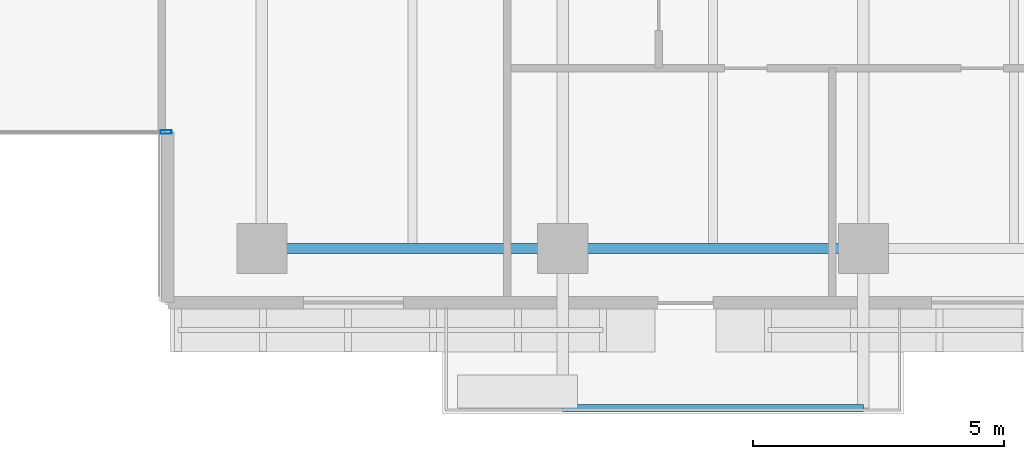
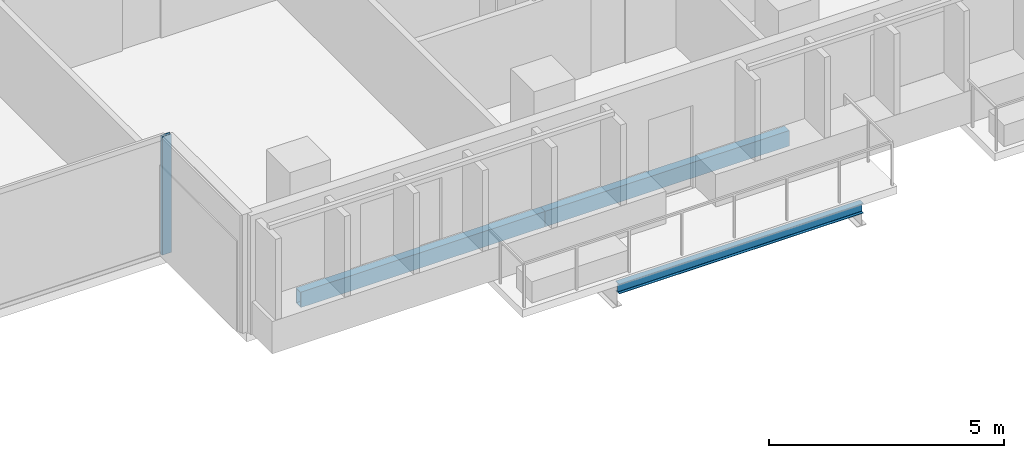
# One storey, part 6 of 35: 3 beams, 1 member, 1 element without a shape of its own.
"""IFC4 building model written with IfcOpenShell, lengths in metres."""

from ifc_helpers import new_model, si_unit, direction, frame, origin, origin_2d, place, context, subcontext, project, spatial, hollow_rectangle, i_section, extrude, material, layer, layer_set, material_profile, profile_set, type_object, element, aggregate, save


model = new_model("IFC4")

# Units and contexts
model_context = context("Model", 3, precision=1e-05, world=origin(), true_north=direction((0.0, 1.0)))
body_context = subcontext(model_context, "Body", "Model", "MODEL_VIEW")
ifc_project = project(units=[si_unit("LENGTHUNIT", "METRE"), si_unit("AREAUNIT", "SQUARE_METRE"), si_unit("VOLUMEUNIT", "CUBIC_METRE"), si_unit("PLANEANGLEUNIT", "RADIAN"), si_unit("MASSUNIT", "GRAM", prefix="KILO")], contexts=[model_context])

# Site, building, storey
site_placement = place(None, origin())
site = spatial("IfcSite", under=ifc_project, at=site_placement, CompositionType="ELEMENT")
building_placement = place(site_placement, origin())
building = spatial("IfcBuilding", under=site, at=building_placement, Name="Tanjung Sevakor Pilgrim Tower", CompositionType="ELEMENT")
storey_placement = place(building_placement, frame((0.0, 0.0, 92.070068359375)))
storey = spatial("IfcBuildingStorey", under=building, at=storey_placement, Name="L25", CompositionType="ELEMENT", Elevation=92.070068359375)

# Beams
ifc_material_1 = material(Name="Steel S355J2", Category="steel")
ifc_material_profile_1 = material_profile(ifc_material_1, i_section(OverallWidth=0.146484375, OverallDepth=0.256103515625, WebThickness=0.00634765625, FlangeThickness=0.010986328125, FilletRadius=0.007568359375, at=origin_2d()))
ifc_profile_set_1 = profile_set([ifc_material_profile_1], Name="Steel S355J2")
beam_type_1 = type_object("IfcBeamType", Name="BM-B-J6-UB_254x146x37", PredefinedType="JOIST", material=ifc_profile_set_1)
beam_placement = place(storey_placement, frame((60.0, 7.6201171875, -0.328125), z_axis=(1.0, 0.0, 0.0), x_axis=(0.0, 1.0, 0.0)))
element("IfcBeam", 1, at=beam_placement, inside=storey, type_object=beam_type_1, Name="L25 Balcony Rim Tie MAIN-S2", PredefinedType="JOIST", context=body_context, shape_type="SweptSolid", body=[
    extrude(i_section(OverallWidth=0.146484375, OverallDepth=0.256103515625, WebThickness=0.00634765625, FlangeThickness=0.010986328125, FilletRadius=0.007568359375, at=origin_2d()), origin(), (0.0, 0.0, 1.0), 6.0),
])
ifc_material_2 = material(Name="Steel S355J2", Category="steel")
ifc_material_profile_2 = material_profile(ifc_material_2, hollow_rectangle(XDim=0.199951171875, YDim=0.39990234375, WallThickness=0.01611328125, at=origin_2d()))
ifc_profile_set_2 = profile_set([ifc_material_profile_2], Name="Steel S355J2")
beam_type_2 = type_object("IfcBeamType", Name="BM-B-SP2-RHS_400x200x16", PredefinedType="SPANDREL", material=ifc_profile_set_2)
for number, where, z_axis, x_axis, name in (
    (2, (54.0, 10.800048828125, -0.420166015625), (1.0, 0.0, 0.0), (0.0, 1.0, 0.0), "L25 Spandrel MAIN S-07"),
    (3, (60.0, 10.800048828125, -0.420166015625), (1.0, 0.0, 0.0), (0.0, 1.0, 0.0), "L25 Spandrel MAIN S-09"),
):
    element("IfcBeam", number, at=place(storey_placement, frame(where, z_axis=z_axis, x_axis=x_axis)), inside=storey, type_object=beam_type_2, Name=name, PredefinedType="SPANDREL", context=body_context, shape_type="SweptSolid", body=[
        extrude(hollow_rectangle(XDim=0.199951171875, YDim=0.39990234375, WallThickness=0.01611328125, at=origin_2d()), origin(), (0.0, 0.0, 1.0), 6.0),
    ])

# Curtain wall, member
ifc_material_3 = material(Name="Aluminium 6063-T6 and Low-E Glass", Category="aluminium")
ifc_layer = layer(ifc_material_3, 0.179931640625)
ifc_layer_set = layer_set([ifc_layer], Name="CW-SYS-CLEFT")
curtain_wall_type = type_object("IfcCurtainWallType", Name="CW-SYS-CLEFT", PredefinedType="NOTDEFINED", material=ifc_layer_set)
curtain_wall_placement = place(storey_placement, origin())
curtain_wall = element("IfcCurtainWall", 4, at=curtain_wall_placement, inside=storey, type_object=curtain_wall_type, Name="L25 Curtain Wall CW-CLF-L25-2", PredefinedType="NOTDEFINED")
ifc_material_4 = material(Name="Aluminium 6063-T6", Category="aluminium")
ifc_material_profile_3 = material_profile(ifc_material_4, hollow_rectangle(XDim=0.074951171875, YDim=0.219970703125, WallThickness=0.0048828125, at=origin_2d()))
ifc_profile_set_3 = profile_set([ifc_material_profile_3], Name="Aluminium 6063-T6")
member_type = type_object("IfcMemberType", Name="TYPE-CWM-2", PredefinedType="MULLION", material=ifc_profile_set_3)
member_placement = place(storey_placement, frame((52.08740234375, 13.125, 0.0), z_axis=(0.0, 0.0, 1.0), x_axis=(0.0, 1.0, 0.0)))
member = element("IfcMember", 5, at=member_placement, type_object=member_type, Name="CW-CLF mullion 2", PredefinedType="MULLION", context=body_context, shape_type="SweptSolid", body=[
    extrude(hollow_rectangle(XDim=0.074951171875, YDim=0.219970703125, WallThickness=0.0048828125, at=origin_2d()), origin(), (0.0, 0.0, 1.0), 3.079833984375),
])
aggregate(curtain_wall, [member])

save(model, "model.ifc")
